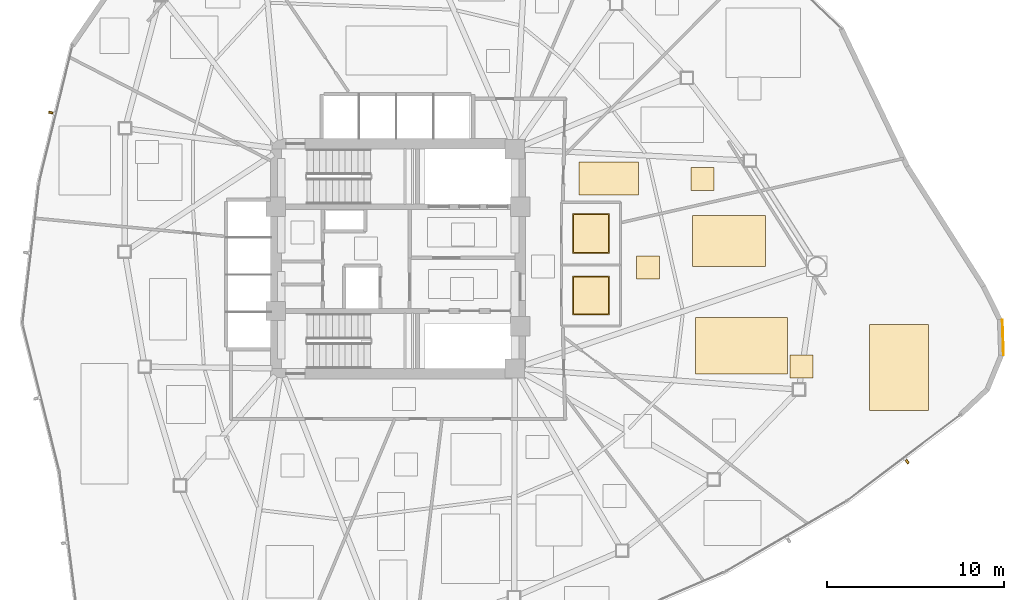
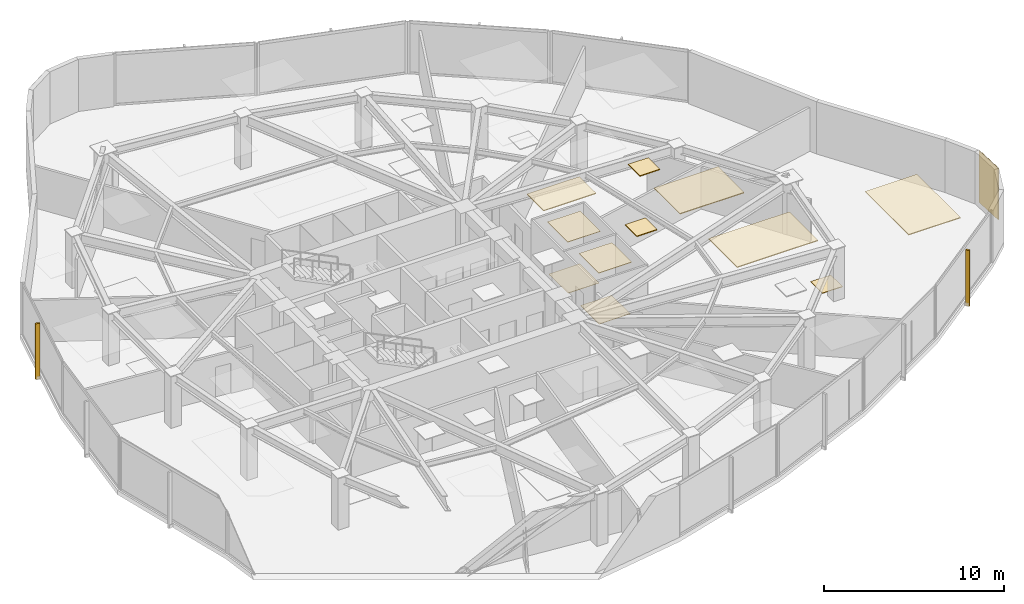
# One storey, part 16 of 17: 12 coverings, 2 shading devices.
"""IFC4 building model written with IfcOpenShell, lengths in metres."""

from ifc_helpers import new_model, si_unit, direction, frame, origin, origin_2d, place, context, subcontext, project, spatial, polyline, rectangle, outline, extrude, source, transform, mapped, material, layer, layer_set, type_object, type_shapes, element, save


model = new_model("IFC4")

# Units and contexts
model_context = context("Model", 3, precision=1e-05, world=origin(), true_north=direction((0.0, 1.0)))
body_context = subcontext(model_context, "Body", "Model", "MODEL_VIEW")
ifc_project = project(units=[si_unit("LENGTHUNIT", "METRE"), si_unit("AREAUNIT", "SQUARE_METRE"), si_unit("VOLUMEUNIT", "CUBIC_METRE"), si_unit("PLANEANGLEUNIT", "RADIAN"), si_unit("MASSUNIT", "GRAM", prefix="KILO")], contexts=[model_context])

# Site, building, storey
site_placement = place(None, origin())
site = spatial("IfcSite", under=ifc_project, at=site_placement, CompositionType="ELEMENT")
building_placement = place(site_placement, origin())
building = spatial("IfcBuilding", under=site, at=building_placement, Name="Tavelor Broadcast Tower", CompositionType="ELEMENT")
storey_placement = place(building_placement, frame((0.0, 0.0, 115.60009765625)))
storey = spatial("IfcBuildingStorey", under=building, at=storey_placement, Name="L26", CompositionType="ELEMENT", Elevation=115.60009765625)

# Coverings
ifc_material_1 = material(Name="Copper-Bronze Anodized Aluminium", Category="aluminium")
ifc_layer_1 = layer(ifc_material_1, 0.050048828125)
ifc_layer_set_1 = layer_set([ifc_layer_1], Name="Copper-Bronze Anodized Aluminium")
covering_type_1 = type_object("IfcCoveringType", Name="Champagne-Bronze Corner Pier Metal Cladding 50 mm", PredefinedType="CLADDING", material=ifc_layer_set_1)
covering_1_placement = place(storey_placement, frame((84.194091796875, 40.5439453125, 0.02001953125), z_axis=(0.0, 0.0, 1.0), x_axis=(-0.034027350502, 0.999420902032, 0.0)))
element("IfcCovering", 1, at=covering_1_placement, inside=storey, type_object=covering_type_1, Name="L26 Champagne-Bronze Corner Cladding 23", PredefinedType="CLADDING", context=body_context, shape_type="SweptSolid", body=[
    extrude(rectangle(XDim=2.01171875, YDim=0.050048828125, at=origin_2d()), origin(), (0.0, 0.0, 1.0), 3.510009765625),
])
ifc_material_2 = material(Name="Acoustic Hardwood Studio Flooring", Category="wood")
ifc_layer_2 = layer(ifc_material_2, 0.034912109375)
ifc_layer_set_2 = layer_set([ifc_layer_2], Name="Acoustic Hardwood Studio Flooring")
covering_type_2 = type_object("IfcCoveringType", Name="Isolated Studio Acoustic Elastomeric Floor Finish 35 mm", PredefinedType="FLOORING", material=ifc_layer_set_2)
covering_2_placement = place(storey_placement, origin())
element("IfcCovering", 2, at=covering_2_placement, inside=storey, type_object=covering_type_2, Name="L26 Broadcast Floor Finish 0358", PredefinedType="FLOORING", context=body_context, shape_type="SweptSolid", body=[
    extrude(outline(polyline([(72.1591796875, 38.252197265625), (73.459228515625, 38.252197265625), (73.459228515625, 39.55224609375), (72.1591796875, 39.55224609375), (72.1591796875, 38.252197265625)])), origin(), (0.0, 0.0, 1.0), 0.034912109375),
])
ifc_material_3 = material(Name="Acoustic Perforated Timber Baffle", Category="wood")
ifc_layer_3 = layer(ifc_material_3, 0.054931640625)
ifc_layer_set_3 = layer_set([ifc_layer_3], Name="Acoustic Perforated Timber Baffle")
covering_type_3 = type_object("IfcCoveringType", Name="Micro-Perforated Acoustic Baffle Studio Ceiling 55 mm", PredefinedType="CEILING", material=ifc_layer_set_3)
covering_3_placement = place(storey_placement, frame((0.0, 0.0, 3.494873046875)))
element("IfcCovering", 3, at=covering_3_placement, inside=storey, type_object=covering_type_3, Name="L26 Suspended Acoustic Ceiling 1012", PredefinedType="CEILING", context=body_context, shape_type="SweptSolid", body=[
    extrude(outline(polyline([(60.2236328125, 48.618896484375), (63.599365234375, 48.618896484375), (63.599365234375, 50.474609375), (60.2236328125, 50.474609375), (60.2236328125, 48.618896484375)])), origin(), (0.0, 0.0, 1.0), 0.054931640625),
])
covering_4_placement = place(storey_placement, frame((0.0, 0.0, 3.494873046875)))
element("IfcCovering", 4, at=covering_4_placement, inside=storey, type_object=covering_type_3, Name="L26 Suspended Acoustic Ceiling 1015", PredefinedType="CEILING", context=body_context, shape_type="SweptSolid", body=[
    extrude(outline(polyline([(66.549072265625, 48.85107421875), (67.84912109375, 48.85107421875), (67.84912109375, 50.15087890625), (66.549072265625, 50.15087890625), (66.549072265625, 48.85107421875)])), origin(), (0.0, 0.0, 1.0), 0.054931640625),
])
covering_5_placement = place(storey_placement, frame((0.0, 0.0, 3.494873046875)))
element("IfcCovering", 5, at=covering_5_placement, inside=storey, type_object=covering_type_3, Name="L26 Suspended Acoustic Ceiling 1016", PredefinedType="CEILING", context=body_context, shape_type="SweptSolid", body=[
    extrude(outline(polyline([(63.4794921875, 43.870361328125), (64.779296875, 43.870361328125), (64.779296875, 45.17041015625), (63.4794921875, 45.17041015625), (63.4794921875, 43.870361328125)])), origin(), (0.0, 0.0, 1.0), 0.054931640625),
])
covering_6_placement = place(storey_placement, frame((0.0, 0.0, 3.494873046875)))
element("IfcCovering", 6, at=covering_6_placement, inside=storey, type_object=covering_type_3, Name="L26 Suspended Acoustic Ceiling 1017", PredefinedType="CEILING", context=body_context, shape_type="SweptSolid", body=[
    extrude(outline(polyline([(66.652099609375, 44.55810546875), (70.773681640625, 44.55810546875), (70.773681640625, 47.447021484375), (66.652099609375, 47.447021484375), (66.652099609375, 44.55810546875)])), origin(), (0.0, 0.0, 1.0), 0.054931640625),
])
covering_7_placement = place(storey_placement, frame((0.0, 0.0, 3.494873046875)))
element("IfcCovering", 7, at=covering_7_placement, inside=storey, type_object=covering_type_3, Name="L26 Suspended Acoustic Ceiling 1018", PredefinedType="CEILING", context=body_context, shape_type="SweptSolid", body=[
    extrude(outline(polyline([(66.817138671875, 38.479248046875), (72.010009765625, 38.479248046875), (72.010009765625, 41.66943359375), (66.817138671875, 41.66943359375), (66.817138671875, 38.479248046875)])), origin(), (0.0, 0.0, 1.0), 0.054931640625),
])
covering_8_placement = place(storey_placement, frame((0.0, 0.0, 3.494873046875)))
element("IfcCovering", 8, at=covering_8_placement, inside=storey, type_object=covering_type_3, Name="L26 Suspended Acoustic Ceiling 1019", PredefinedType="CEILING", context=body_context, shape_type="SweptSolid", body=[
    extrude(outline(polyline([(76.658935546875, 36.430908203125), (79.994384765625, 36.430908203125), (79.994384765625, 41.279296875), (76.658935546875, 41.279296875), (76.658935546875, 36.430908203125)])), origin(), (0.0, 0.0, 1.0), 0.054931640625),
])
ifc_material_4 = material(Name="Architectural Anodized Aluminium", Category="aluminium")
ifc_layer_4 = layer(ifc_material_4, 0.030029296875)
ifc_layer_set_4 = layer_set([ifc_layer_4], Name="Architectural Anodized Aluminium")
covering_type_4 = type_object("IfcCoveringType", Name="Moisture-Resistant Washroom Ceiling 30 mm", PredefinedType="CEILING", material=ifc_layer_set_4)
covering_9_placement = place(storey_placement, frame((0.0, 0.0, 3.52001953125)))
element("IfcCovering", 9, at=covering_9_placement, inside=storey, type_object=covering_type_4, Name="L26 Suspended Acoustic Ceiling 1010", PredefinedType="CEILING", context=body_context, shape_type="SweptSolid", body=[
    extrude(outline(polyline([(59.85302734375, 41.828369140625), (61.967041015625, 41.828369140625), (61.967041015625, 44.021484375), (59.85302734375, 44.021484375), (59.85302734375, 41.828369140625)])), origin(), (0.0, 0.0, 1.0), 0.02978515625),
])
covering_10_placement = place(storey_placement, frame((0.0, 0.0, 3.52001953125)))
element("IfcCovering", 10, at=covering_10_placement, inside=storey, type_object=covering_type_4, Name="L26 Suspended Acoustic Ceiling 1011", PredefinedType="CEILING", context=body_context, shape_type="SweptSolid", body=[
    extrude(outline(polyline([(59.85302734375, 45.29248046875), (61.967041015625, 45.29248046875), (61.967041015625, 47.5576171875), (59.85302734375, 47.5576171875), (59.85302734375, 45.29248046875)])), origin(), (0.0, 0.0, 1.0), 0.02978515625),
])
ifc_material_5 = material(Name="Slip-Resistant Porcelain Tile")
ifc_layer_5 = layer(ifc_material_5, 0.02490234375)
ifc_layer_set_5 = layer_set([ifc_layer_5], Name="Slip-Resistant Porcelain Tile")
covering_type_5 = type_object("IfcCoveringType", Name="Slip-Resistant Porcelain Wet-Area Floor Tile 25 mm", PredefinedType="FLOORING", material=ifc_layer_set_5)
covering_11_placement = place(storey_placement, origin())
element("IfcCovering", 11, at=covering_11_placement, inside=storey, type_object=covering_type_5, Name="L26 Broadcast Floor Finish 0355", PredefinedType="FLOORING", context=body_context, shape_type="SweptSolid", body=[
    extrude(outline(polyline([(59.91064453125, 41.885986328125), (61.909423828125, 41.885986328125), (61.909423828125, 43.964111328125), (59.91064453125, 43.964111328125), (59.91064453125, 41.885986328125)])), origin(), (0.0, 0.0, 1.0), 0.02490234375),
])
covering_12_placement = place(storey_placement, origin())
element("IfcCovering", 12, at=covering_12_placement, inside=storey, type_object=covering_type_5, Name="L26 Broadcast Floor Finish 0356", PredefinedType="FLOORING", context=body_context, shape_type="SweptSolid", body=[
    extrude(outline(polyline([(59.91064453125, 45.35009765625), (61.909423828125, 45.35009765625), (61.909423828125, 47.5), (59.91064453125, 47.5), (59.91064453125, 45.35009765625)])), origin(), (0.0, 0.0, 1.0), 0.02490234375),
])

# Shading devices
ifc_material_6 = material(Name="Kiln-Fired Glazed Terracotta", Category="masonry")
shading_device_type = type_object("IfcShadingDeviceType", Name="Extruded Terracotta Baguette Sun-Screen 110x240", PredefinedType="JALOUSIE", material=ifc_material_6)
shared_shape = source(origin(), body_context, "Body", "SweptSolid", [
    extrude(rectangle(XDim=0.110107421875, YDim=0.239990234375, at=origin_2d()), origin(), (0.0, 0.0, 1.0), 3.7900390625),
])
type_shapes(shading_device_type, [shared_shape])
for number, where, z_axis, x_axis, name in (
    (13, (30.367919921875, 53.26611328125, -0.260009765625), (0.0, 0.0, 1.0), (-0.236498997024, -0.971631732915, 0.0), "L26 Terracotta Baguette Fin 241"),
    (14, (78.785888671875, 33.530029296875, -0.260009765625), (0.0, 0.0, 1.0), (0.796740914397, 0.604321036641, 0.0), "L26 Terracotta Baguette Fin 248"),
):
    element("IfcShadingDevice", number, at=place(storey_placement, frame(where, z_axis=z_axis, x_axis=x_axis)), inside=storey, type_object=shading_device_type, Name=name, PredefinedType="JALOUSIE", context=body_context, shape_type="MappedRepresentation", body=[
        mapped(shared_shape, transform((0.0, 0.0, 0.0), scale=1.0)),
    ])

save(model, "model.ifc")
